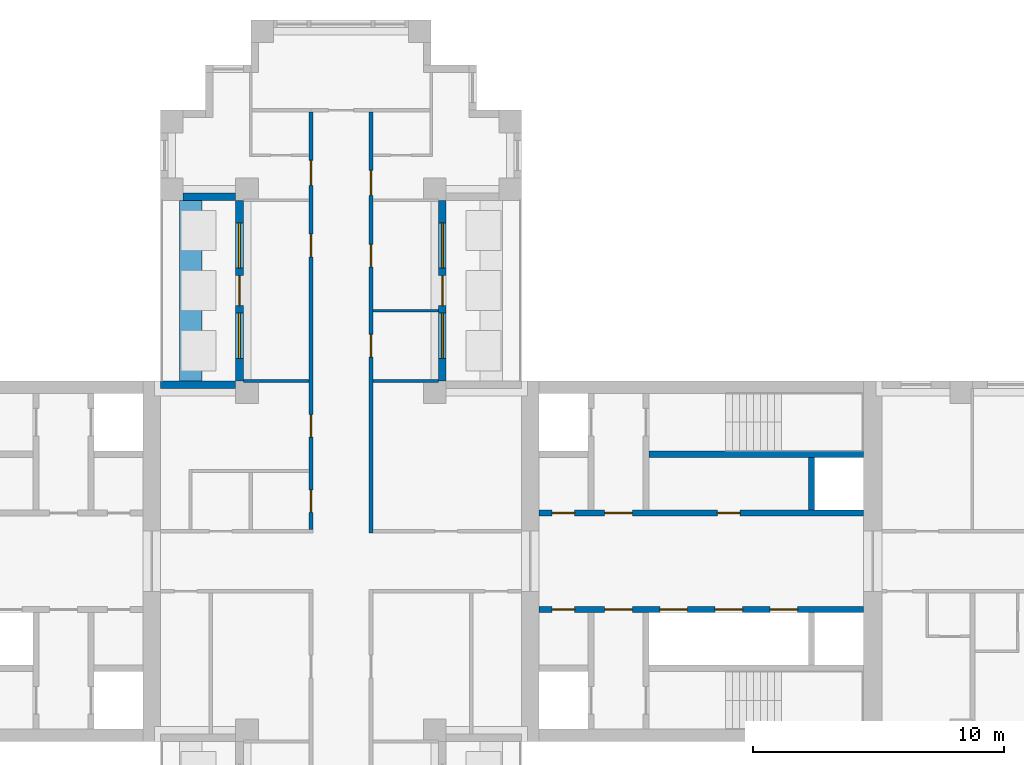
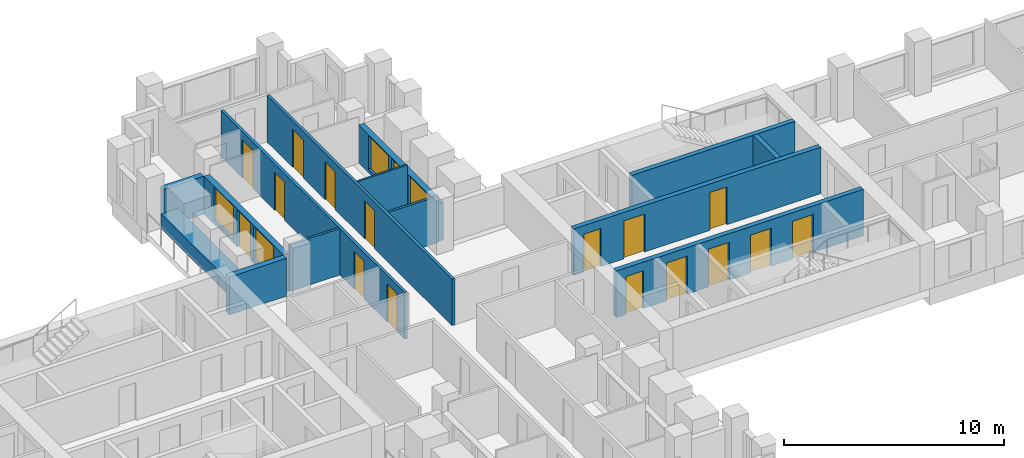
# One storey, part 9 of 14: 17 doors, 14 walls, 4 windows, 21 openings.
"""IFC4 building model written with IfcOpenShell, lengths in metres."""

from ifc_helpers import new_model, si_unit, direction, frame, frame_2d, origin, place, context, subcontext, project, spatial, rectangle, extrude, material, layer, layer_set, type_object, element, fill, save


model = new_model("IFC4")

# Units and contexts
model_context = context("Model", 3, precision=1e-05, world=origin(), true_north=direction((0.0, 1.0)))
body_context = subcontext(model_context, "Body", "Model", "MODEL_VIEW")
ifc_project = project(units=[si_unit("LENGTHUNIT", "METRE"), si_unit("AREAUNIT", "SQUARE_METRE"), si_unit("VOLUMEUNIT", "CUBIC_METRE"), si_unit("PLANEANGLEUNIT", "RADIAN"), si_unit("MASSUNIT", "GRAM", prefix="KILO")], contexts=[model_context])

# Site, building, storey
site_placement = place(None, origin())
site = spatial("IfcSite", under=ifc_project, at=site_placement, CompositionType="ELEMENT")
building_placement = place(site_placement, origin())
building = spatial("IfcBuilding", under=site, at=building_placement, Name="Fustian Cross Tower", CompositionType="ELEMENT")
storey_placement = place(building_placement, frame((0.0, 0.0, 69.89990234375)))
storey = spatial("IfcBuildingStorey", under=building, at=storey_placement, Name="L21", CompositionType="ELEMENT", Elevation=69.89990234375)

# Wall, openings, doors
ifc_material_1 = material(Name="Plasterboard on steel stud", Category="steel")
ifc_layer_1 = layer(ifc_material_1, 0.14990234375)
ifc_layer_set_1 = layer_set([ifc_layer_1], Name="Plasterboard on steel stud")
wall_type_1 = type_object("IfcWallType", Name="COMPARTMENT WALL 150 EI 60", PredefinedType="PARTITIONING", material=ifc_layer_set_1)
wall_1_placement = place(storey_placement, frame((-1.199951171875, 1.27490234375, 0.0), z_axis=(0.0, 0.0, 1.0), x_axis=(0.0, 1.0, 0.0)))
wall_1 = element("IfcWall", 1, at=wall_1_placement, inside=storey, type_object=wall_type_1, Name="Partition 50", PredefinedType="PARTITIONING", context=body_context, shape_type="SweptSolid", body=[
    extrude(rectangle(XDim=16.650146484375, YDim=0.14990234375, at=frame_2d((8.3251953125, 0.0))), origin(), (0.0, 0.0, 1.0), 2.5751953125),
])
opening_1_placement = place(wall_1_placement, frame((0.675048828125, 0.0, 0.0)))
opening_1 = element("IfcOpeningElement", 2, at=opening_1_placement, cuts=wall_1, Name="Opening D11002", PredefinedType="OPENING", context=body_context, shape_type="SweptSolid", body=[
    extrude(rectangle(XDim=0.89990234375, YDim=2.10009765625, at=frame_2d((0.449951171875, 1.050048828125))), frame((0.0, 0.0849609375, 0.0), z_axis=(0.0, -1.0, 0.0), x_axis=(1.0, 0.0, 0.0)), (0.0, 0.0, 1.0), 0.169921875),
])
opening_2_placement = place(wall_1_placement, frame((3.675048828125, 0.0, 0.0)))
opening_2 = element("IfcOpeningElement", 3, at=opening_2_placement, cuts=wall_1, Name="Opening D11004", PredefinedType="OPENING", context=body_context, shape_type="SweptSolid", body=[
    extrude(rectangle(XDim=0.89990234375, YDim=2.10009765625, at=frame_2d((0.449951171875, 1.050048828125))), frame((0.0, 0.0849609375, 0.0), z_axis=(0.0, -1.0, 0.0), x_axis=(1.0, 0.0, 0.0)), (0.0, 0.0, 1.0), 0.169921875),
])
opening_3_placement = place(wall_1_placement, frame((10.875, 0.0, 0.0)))
opening_3 = element("IfcOpeningElement", 4, at=opening_3_placement, cuts=wall_1, Name="Opening D11018", PredefinedType="OPENING", context=body_context, shape_type="SweptSolid", body=[
    extrude(rectangle(XDim=0.89990234375, YDim=2.10009765625, at=frame_2d((0.449951171875, 1.050048828125))), frame((0.0, 0.0849609375, 0.0), z_axis=(0.0, -1.0, 0.0), x_axis=(1.0, 0.0, 0.0)), (0.0, 0.0, 1.0), 0.169921875),
])
opening_4_placement = place(wall_1_placement, frame((13.72509765625, 0.0, 0.0)))
opening_4 = element("IfcOpeningElement", 5, at=opening_4_placement, cuts=wall_1, Name="Opening D11020", PredefinedType="OPENING", context=body_context, shape_type="SweptSolid", body=[
    extrude(rectangle(XDim=1.0, YDim=2.10009765625, at=frame_2d((0.5, 1.050048828125))), frame((0.0, 0.0849609375, 0.0), z_axis=(0.0, -1.0, 0.0), x_axis=(1.0, 0.0, 0.0)), (0.0, 0.0, 1.0), 0.169921875),
])
ifc_material_2 = material(Name="Timber fire door set", Category="wood")
door_type_1 = type_object("IfcDoorType", Name="FIRE SWING DOOR 1000 FD30S", OperationType="SINGLE_SWING_LEFT", PredefinedType="DOOR", material=ifc_material_2)
door_1_placement = place(opening_4_placement, origin())
door_1 = element("IfcDoor", 6, at=door_1_placement, inside=storey, type_object=door_type_1, Name="Door D11020", OperationType="SINGLE_SWING_RIGHT", OverallHeight=2.10009765625, OverallWidth=1.0, PredefinedType="DOOR", context=body_context, shape_type="SweptSolid", body=[
    extrude(rectangle(XDim=1.0, YDim=2.10009765625, at=frame_2d((0.5, 1.050048828125))), frame((0.0, 0.02490234375, 0.0), z_axis=(0.0, -1.0, 0.0), x_axis=(1.0, 0.0, 0.0)), (0.0, 0.0, 1.0), 0.050048828125),
])
fill(opening_4, door_1)
ifc_material_3 = material(Name="Timber fire door set", Category="wood")
door_type_2 = type_object("IfcDoorType", Name="FIRE SWING DOOR 900 FD30S", OperationType="SINGLE_SWING_LEFT", PredefinedType="DOOR", material=ifc_material_3)
door_2_placement = place(opening_1_placement, origin())
door_2 = element("IfcDoor", 7, at=door_2_placement, inside=storey, type_object=door_type_2, Name="Door D11002", OperationType="SINGLE_SWING_LEFT", OverallHeight=2.10009765625, OverallWidth=0.89990234375, PredefinedType="DOOR", context=body_context, shape_type="SweptSolid", body=[
    extrude(rectangle(XDim=0.89990234375, YDim=2.10009765625, at=frame_2d((0.449951171875, 1.050048828125))), frame((0.0, 0.02490234375, 0.0), z_axis=(0.0, -1.0, 0.0), x_axis=(1.0, 0.0, 0.0)), (0.0, 0.0, 1.0), 0.050048828125),
])
fill(opening_1, door_2)
door_3_placement = place(opening_2_placement, origin())
door_3 = element("IfcDoor", 8, at=door_3_placement, inside=storey, type_object=door_type_2, Name="Door D11004", OperationType="SINGLE_SWING_LEFT", OverallHeight=2.10009765625, OverallWidth=0.89990234375, PredefinedType="DOOR", context=body_context, shape_type="SweptSolid", body=[
    extrude(rectangle(XDim=0.89990234375, YDim=2.10009765625, at=frame_2d((0.449951171875, 1.050048828125))), frame((0.0, 0.02490234375, 0.0), z_axis=(0.0, -1.0, 0.0), x_axis=(1.0, 0.0, 0.0)), (0.0, 0.0, 1.0), 0.050048828125),
])
fill(opening_2, door_3)
door_4_placement = place(opening_3_placement, origin())
door_4 = element("IfcDoor", 9, at=door_4_placement, inside=storey, type_object=door_type_2, Name="Door D11018", OperationType="SINGLE_SWING_RIGHT", OverallHeight=2.10009765625, OverallWidth=0.89990234375, PredefinedType="DOOR", context=body_context, shape_type="SweptSolid", body=[
    extrude(rectangle(XDim=0.89990234375, YDim=2.10009765625, at=frame_2d((0.449951171875, 1.050048828125))), frame((0.0, 0.02490234375, 0.0), z_axis=(0.0, -1.0, 0.0), x_axis=(1.0, 0.0, 0.0)), (0.0, 0.0, 1.0), 0.050048828125),
])
fill(opening_3, door_4)

wall_2_placement = place(storey_placement, frame((1.199951171875, 1.125, 0.0), z_axis=(0.0, 0.0, 1.0), x_axis=(0.0, 1.0, 0.0)))
wall_2 = element("IfcWall", 10, at=wall_2_placement, inside=storey, type_object=wall_type_1, Name="Partition 60", PredefinedType="PARTITIONING", context=body_context, shape_type="SweptSolid", body=[
    extrude(rectangle(XDim=16.800048828125, YDim=0.14990234375, at=frame_2d((8.39990234375, 0.0))), origin(), (0.0, 0.0, 1.0), 2.5751953125),
])
opening_5_placement = place(wall_2_placement, frame((7.02490234375, 0.0, 0.0)))
opening_5 = element("IfcOpeningElement", 11, at=opening_5_placement, cuts=wall_2, Name="Opening D11021", PredefinedType="OPENING", context=body_context, shape_type="SweptSolid", body=[
    extrude(rectangle(XDim=0.89990234375, YDim=2.10009765625, at=frame_2d((0.449951171875, 1.050048828125))), frame((0.0, 0.0849609375, 0.0), z_axis=(0.0, -1.0, 0.0), x_axis=(1.0, 0.0, 0.0)), (0.0, 0.0, 1.0), 0.169921875),
])
opening_6_placement = place(wall_2_placement, frame((10.625, 0.0, 0.0)))
opening_6 = element("IfcOpeningElement", 12, at=opening_6_placement, cuts=wall_2, Name="Opening D11022", PredefinedType="OPENING", context=body_context, shape_type="SweptSolid", body=[
    extrude(rectangle(XDim=0.89990234375, YDim=2.10009765625, at=frame_2d((0.449951171875, 1.050048828125))), frame((0.0, 0.0849609375, 0.0), z_axis=(0.0, -1.0, 0.0), x_axis=(1.0, 0.0, 0.0)), (0.0, 0.0, 1.0), 0.169921875),
])
opening_7_placement = place(wall_2_placement, frame((13.47509765625, 0.0, 0.0)))
opening_7 = element("IfcOpeningElement", 13, at=opening_7_placement, cuts=wall_2, Name="Opening D11024", PredefinedType="OPENING", context=body_context, shape_type="SweptSolid", body=[
    extrude(rectangle(XDim=1.0, YDim=2.10009765625, at=frame_2d((0.5, 1.050048828125))), frame((0.0, 0.0849609375, 0.0), z_axis=(0.0, -1.0, 0.0), x_axis=(1.0, 0.0, 0.0)), (0.0, 0.0, 1.0), 0.169921875),
])
door_5_placement = place(opening_7_placement, frame((1.0, 0.0, 0.0), z_axis=(0.0, 0.0, 1.0), x_axis=(-1.0, 0.0, 0.0)))
door_5 = element("IfcDoor", 14, at=door_5_placement, inside=storey, type_object=door_type_1, Name="Door D11024", OperationType="SINGLE_SWING_RIGHT", OverallHeight=2.10009765625, OverallWidth=1.0, PredefinedType="DOOR", context=body_context, shape_type="SweptSolid", body=[
    extrude(rectangle(XDim=1.0, YDim=2.10009765625, at=frame_2d((0.5, 1.050048828125))), frame((0.0, 0.02490234375, 0.0), z_axis=(0.0, -1.0, 0.0), x_axis=(1.0, 0.0, 0.0)), (0.0, 0.0, 1.0), 0.050048828125),
])
fill(opening_7, door_5)
door_6_placement = place(opening_5_placement, frame((0.89990234375, 0.0, 0.0), z_axis=(0.0, 0.0, 1.0), x_axis=(-1.0, 0.0, 0.0)))
door_6 = element("IfcDoor", 15, at=door_6_placement, inside=storey, type_object=door_type_2, Name="Door D11021", OperationType="SINGLE_SWING_RIGHT", OverallHeight=2.10009765625, OverallWidth=0.89990234375, PredefinedType="DOOR", context=body_context, shape_type="SweptSolid", body=[
    extrude(rectangle(XDim=0.89990234375, YDim=2.10009765625, at=frame_2d((0.449951171875, 1.050048828125))), frame((0.0, 0.02490234375, 0.0), z_axis=(0.0, -1.0, 0.0), x_axis=(1.0, 0.0, 0.0)), (0.0, 0.0, 1.0), 0.050048828125),
])
fill(opening_5, door_6)
door_7_placement = place(opening_6_placement, frame((0.89990234375, 0.0, 0.0), z_axis=(0.0, 0.0, 1.0), x_axis=(-1.0, 0.0, 0.0)))
door_7 = element("IfcDoor", 16, at=door_7_placement, inside=storey, type_object=door_type_2, Name="Door D11022", OperationType="SINGLE_SWING_RIGHT", OverallHeight=2.10009765625, OverallWidth=0.89990234375, PredefinedType="DOOR", context=body_context, shape_type="SweptSolid", body=[
    extrude(rectangle(XDim=0.89990234375, YDim=2.10009765625, at=frame_2d((0.449951171875, 1.050048828125))), frame((0.0, 0.02490234375, 0.0), z_axis=(0.0, -1.0, 0.0), x_axis=(1.0, 0.0, 0.0)), (0.0, 0.0, 1.0), 0.050048828125),
])
fill(opening_6, door_7)

ifc_material_4 = material(Name="Concrete C50/60", Category="concrete")
ifc_layer_2 = layer(ifc_material_4, 0.25)
ifc_layer_set_2 = layer_set([ifc_layer_2], Name="Concrete C50/60")
wall_type_2 = type_object("IfcWallType", Name="CORE LOBBY WALL 250 C50/60", PredefinedType="SHEAR", material=ifc_layer_set_2)
wall_3_placement = place(storey_placement, frame((7.89990234375, 1.925048828125, 0.0), z_axis=(0.0, 0.0, 1.0), x_axis=(1.0, 0.0, 0.0)))
wall_3 = element("IfcWall", 17, at=wall_3_placement, inside=storey, type_object=wall_type_2, Name="Core lobby wall", PredefinedType="SHEAR", context=body_context, shape_type="SweptSolid", body=[
    extrude(rectangle(XDim=12.9501953125, YDim=0.25, at=frame_2d((6.47509765625, 0.0))), origin(), (0.0, 0.0, 1.0), 2.5751953125),
])
opening_8_placement = place(wall_3_placement, frame((0.52490234375, 0.0, 0.0)))
opening_8 = element("IfcOpeningElement", 18, at=opening_8_placement, cuts=wall_3, Name="Opening CD-09-08", PredefinedType="OPENING", context=body_context, shape_type="SweptSolid", body=[
    extrude(rectangle(XDim=0.89990234375, YDim=2.10009765625, at=frame_2d((0.449951171875, 1.050048828125))), frame((0.0, 0.135009765625, 0.0), z_axis=(0.0, -1.0, 0.0), x_axis=(1.0, 0.0, 0.0)), (0.0, 0.0, 1.0), 0.27001953125),
])
opening_9_placement = place(wall_3_placement, frame((2.625, 0.0, 0.0)))
opening_9 = element("IfcOpeningElement", 19, at=opening_9_placement, cuts=wall_3, Name="Opening CD-09-10", PredefinedType="OPENING", context=body_context, shape_type="SweptSolid", body=[
    extrude(rectangle(XDim=1.10009765625, YDim=2.10009765625, at=frame_2d((0.550048828125, 1.050048828125))), frame((0.0, 0.135009765625, 0.0), z_axis=(0.0, -1.0, 0.0), x_axis=(1.0, 0.0, 0.0)), (0.0, 0.0, 1.0), 0.27001953125),
])
opening_10_placement = place(wall_3_placement, frame((7.125, 0.0, 0.0)))
opening_10 = element("IfcOpeningElement", 20, at=opening_10_placement, cuts=wall_3, Name="Opening CD-09-14", PredefinedType="OPENING", context=body_context, shape_type="SweptSolid", body=[
    extrude(rectangle(XDim=0.89990234375, YDim=2.10009765625, at=frame_2d((0.449951171875, 1.050048828125))), frame((0.0, 0.135009765625, 0.0), z_axis=(0.0, -1.0, 0.0), x_axis=(1.0, 0.0, 0.0)), (0.0, 0.0, 1.0), 0.27001953125),
])
ifc_material_5 = material(Name="Steel", Category="steel")
door_type_3 = type_object("IfcDoorType", Name="FIRE DOOR FD30S 900X2100", OperationType="SINGLE_SWING_LEFT", PredefinedType="DOOR", material=ifc_material_5)
door_8_placement = place(opening_10_placement, origin())
door_8 = element("IfcDoor", 21, at=door_8_placement, inside=storey, type_object=door_type_3, Name="Core door CD-09-14", OperationType="SINGLE_SWING_LEFT", OverallHeight=2.10009765625, OverallWidth=0.89990234375, PredefinedType="DOOR", context=body_context, shape_type="SweptSolid", body=[
    extrude(rectangle(XDim=0.89990234375, YDim=2.10009765625, at=frame_2d((0.449951171875, 1.050048828125))), frame((0.0, 0.02490234375, 0.0), z_axis=(0.0, -1.0, 0.0), x_axis=(1.0, 0.0, 0.0)), (0.0, 0.0, 1.0), 0.050048828125),
])
fill(opening_10, door_8)
ifc_material_6 = material(Name="Steel", Category="steel")
door_type_4 = type_object("IfcDoorType", Name="FIRE DOOR FD60S 1100X2100", OperationType="SINGLE_SWING_LEFT", PredefinedType="DOOR", material=ifc_material_6)
door_9_placement = place(opening_9_placement, frame((1.10009765625, 0.0, 0.0), z_axis=(0.0, 0.0, 1.0), x_axis=(-1.0, 0.0, 0.0)))
door_9 = element("IfcDoor", 22, at=door_9_placement, inside=storey, type_object=door_type_4, Name="Core door CD-09-10", OperationType="SINGLE_SWING_RIGHT", OverallHeight=2.10009765625, OverallWidth=1.10009765625, PredefinedType="DOOR", context=body_context, shape_type="SweptSolid", body=[
    extrude(rectangle(XDim=1.10009765625, YDim=2.10009765625, at=frame_2d((0.550048828125, 1.050048828125))), frame((0.0, 0.02490234375, 0.0), z_axis=(0.0, -1.0, 0.0), x_axis=(1.0, 0.0, 0.0)), (0.0, 0.0, 1.0), 0.050048828125),
])
fill(opening_9, door_9)
ifc_material_7 = material(Name="Steel", Category="steel")
door_type_5 = type_object("IfcDoorType", Name="FIRE DOOR FD60S 900X2100", OperationType="SINGLE_SWING_LEFT", PredefinedType="DOOR", material=ifc_material_7)
door_10_placement = place(opening_8_placement, origin())
door_10 = element("IfcDoor", 23, at=door_10_placement, inside=storey, type_object=door_type_5, Name="Core door CD-09-08", OperationType="SINGLE_SWING_LEFT", OverallHeight=2.10009765625, OverallWidth=0.89990234375, PredefinedType="DOOR", context=body_context, shape_type="SweptSolid", body=[
    extrude(rectangle(XDim=0.89990234375, YDim=2.10009765625, at=frame_2d((0.449951171875, 1.050048828125))), frame((0.0, 0.02490234375, 0.0), z_axis=(0.0, -1.0, 0.0), x_axis=(1.0, 0.0, 0.0)), (0.0, 0.0, 1.0), 0.050048828125),
])
fill(opening_8, door_10)

wall_4_placement = place(storey_placement, frame((7.89990234375, -1.925048828125, 0.0), z_axis=(0.0, 0.0, 1.0), x_axis=(1.0, 0.0, 0.0)))
wall_4 = element("IfcWall", 24, at=wall_4_placement, inside=storey, type_object=wall_type_2, Name="Core lobby wall", PredefinedType="SHEAR", context=body_context, shape_type="SweptSolid", body=[
    extrude(rectangle(XDim=12.9501953125, YDim=0.25, at=frame_2d((6.47509765625, 0.0))), origin(), (0.0, 0.0, 1.0), 2.5751953125),
])
opening_11_placement = place(wall_4_placement, frame((4.824951171875, 0.0, 0.0)))
opening_11 = element("IfcOpeningElement", 25, at=opening_11_placement, cuts=wall_4, Name="Opening LD", PredefinedType="OPENING", context=body_context, shape_type="SweptSolid", body=[
    extrude(rectangle(XDim=1.10009765625, YDim=2.10009765625, at=frame_2d((0.550048828125, 1.050048828125))), frame((0.0, 0.135009765625, 0.0), z_axis=(0.0, -1.0, 0.0), x_axis=(1.0, 0.0, 0.0)), (0.0, 0.0, 1.0), 0.27001953125),
])
opening_12_placement = place(wall_4_placement, frame((7.02490234375, 0.0, 0.0)))
opening_12 = element("IfcOpeningElement", 26, at=opening_12_placement, cuts=wall_4, Name="Opening LD", PredefinedType="OPENING", context=body_context, shape_type="SweptSolid", body=[
    extrude(rectangle(XDim=1.10009765625, YDim=2.10009765625, at=frame_2d((0.550048828125, 1.050048828125))), frame((0.0, 0.135009765625, 0.0), z_axis=(0.0, -1.0, 0.0), x_axis=(1.0, 0.0, 0.0)), (0.0, 0.0, 1.0), 0.27001953125),
])
opening_13_placement = place(wall_4_placement, frame((9.22509765625, 0.0, 0.0)))
opening_13 = element("IfcOpeningElement", 27, at=opening_13_placement, cuts=wall_4, Name="Opening LD", PredefinedType="OPENING", context=body_context, shape_type="SweptSolid", body=[
    extrude(rectangle(XDim=1.10009765625, YDim=2.10009765625, at=frame_2d((0.550048828125, 1.050048828125))), frame((0.0, 0.135009765625, 0.0), z_axis=(0.0, -1.0, 0.0), x_axis=(1.0, 0.0, 0.0)), (0.0, 0.0, 1.0), 0.27001953125),
])
opening_14_placement = place(wall_4_placement, frame((0.52490234375, 0.0, 0.0)))
opening_14 = element("IfcOpeningElement", 28, at=opening_14_placement, cuts=wall_4, Name="Opening CD-09-09", PredefinedType="OPENING", context=body_context, shape_type="SweptSolid", body=[
    extrude(rectangle(XDim=0.89990234375, YDim=2.10009765625, at=frame_2d((0.449951171875, 1.050048828125))), frame((0.0, 0.135009765625, 0.0), z_axis=(0.0, -1.0, 0.0), x_axis=(1.0, 0.0, 0.0)), (0.0, 0.0, 1.0), 0.27001953125),
])
opening_15_placement = place(wall_4_placement, frame((2.625, 0.0, 0.0)))
opening_15 = element("IfcOpeningElement", 29, at=opening_15_placement, cuts=wall_4, Name="Opening CD-09-11", PredefinedType="OPENING", context=body_context, shape_type="SweptSolid", body=[
    extrude(rectangle(XDim=1.10009765625, YDim=2.10009765625, at=frame_2d((0.550048828125, 1.050048828125))), frame((0.0, 0.135009765625, 0.0), z_axis=(0.0, -1.0, 0.0), x_axis=(1.0, 0.0, 0.0)), (0.0, 0.0, 1.0), 0.27001953125),
])
ifc_material_8 = material(Name="Steel", Category="steel")
door_type_6 = type_object("IfcDoorType", Name="FIRE DOOR FD30S 1100X2100", OperationType="SINGLE_SWING_LEFT", PredefinedType="DOOR", material=ifc_material_8)
door_11_placement = place(opening_15_placement, frame((1.10009765625, 0.0, 0.0), z_axis=(0.0, 0.0, 1.0), x_axis=(-1.0, 0.0, 0.0)))
door_11 = element("IfcDoor", 30, at=door_11_placement, inside=storey, type_object=door_type_6, Name="Core door CD-09-11", OperationType="SINGLE_SWING_RIGHT", OverallHeight=2.10009765625, OverallWidth=1.10009765625, PredefinedType="DOOR", context=body_context, shape_type="SweptSolid", body=[
    extrude(rectangle(XDim=1.10009765625, YDim=2.10009765625, at=frame_2d((0.550048828125, 1.050048828125))), frame((0.0, 0.02490234375, 0.0), z_axis=(0.0, -1.0, 0.0), x_axis=(1.0, 0.0, 0.0)), (0.0, 0.0, 1.0), 0.050048828125),
])
fill(opening_15, door_11)
door_12_placement = place(opening_14_placement, frame((0.89990234375, 0.0, 0.0), z_axis=(0.0, 0.0, 1.0), x_axis=(-1.0, 0.0, 0.0)))
door_12 = element("IfcDoor", 31, at=door_12_placement, inside=storey, type_object=door_type_3, Name="Core door CD-09-09", OperationType="SINGLE_SWING_RIGHT", OverallHeight=2.10009765625, OverallWidth=0.89990234375, PredefinedType="DOOR", context=body_context, shape_type="SweptSolid", body=[
    extrude(rectangle(XDim=0.89990234375, YDim=2.10009765625, at=frame_2d((0.449951171875, 1.050048828125))), frame((0.0, 0.02490234375, 0.0), z_axis=(0.0, -1.0, 0.0), x_axis=(1.0, 0.0, 0.0)), (0.0, 0.0, 1.0), 0.050048828125),
])
fill(opening_14, door_12)
ifc_material_9 = material(Name="Stainless steel", Category="steel")
door_type_7 = type_object("IfcDoorType", Name="LIFT LANDING DOOR 1100X2100", OperationType="SLIDING_TO_LEFT", PredefinedType="DOOR", material=ifc_material_9)
door_13_placement = place(opening_11_placement, origin())
door_13 = element("IfcDoor", 32, at=door_13_placement, inside=storey, type_object=door_type_7, Name="Landing door LR1", OperationType="SLIDING_TO_LEFT", OverallHeight=2.10009765625, OverallWidth=1.10009765625, PredefinedType="DOOR", context=body_context, shape_type="SweptSolid", body=[
    extrude(rectangle(XDim=1.10009765625, YDim=2.10009765625, at=frame_2d((0.550048828125, 1.050048828125))), frame((0.0, 0.02490234375, 0.0), z_axis=(0.0, -1.0, 0.0), x_axis=(1.0, 0.0, 0.0)), (0.0, 0.0, 1.0), 0.050048828125),
])
fill(opening_11, door_13)
door_14_placement = place(opening_12_placement, origin())
door_14 = element("IfcDoor", 33, at=door_14_placement, inside=storey, type_object=door_type_7, Name="Landing door LR2", OperationType="SLIDING_TO_LEFT", OverallHeight=2.10009765625, OverallWidth=1.10009765625, PredefinedType="DOOR", context=body_context, shape_type="SweptSolid", body=[
    extrude(rectangle(XDim=1.10009765625, YDim=2.10009765625, at=frame_2d((0.550048828125, 1.050048828125))), frame((0.0, 0.02490234375, 0.0), z_axis=(0.0, -1.0, 0.0), x_axis=(1.0, 0.0, 0.0)), (0.0, 0.0, 1.0), 0.050048828125),
])
fill(opening_12, door_14)
door_15_placement = place(opening_13_placement, origin())
door_15 = element("IfcDoor", 34, at=door_15_placement, inside=storey, type_object=door_type_7, Name="Landing door LR3", OperationType="SLIDING_TO_LEFT", OverallHeight=2.10009765625, OverallWidth=1.10009765625, PredefinedType="DOOR", context=body_context, shape_type="SweptSolid", body=[
    extrude(rectangle(XDim=1.10009765625, YDim=2.10009765625, at=frame_2d((0.550048828125, 1.050048828125))), frame((0.0, 0.02490234375, 0.0), z_axis=(0.0, -1.0, 0.0), x_axis=(1.0, 0.0, 0.0)), (0.0, 0.0, 1.0), 0.050048828125),
])
fill(opening_13, door_15)

# Walls
ifc_material_10 = material(Name="Concrete C50/60", Category="concrete")
ifc_layer_3 = layer(ifc_material_10, 0.25)
ifc_layer_set_3 = layer_set([ifc_layer_3], Name="Concrete C50/60")
wall_type_3 = type_object("IfcWallType", Name="CORE SHAFT WALL 250 C50/60", PredefinedType="SHEAR", material=ifc_layer_set_3)
wall_5_placement = place(storey_placement, frame((12.300048828125, 4.27490234375, 0.0), z_axis=(0.0, 0.0, 1.0), x_axis=(1.0, 0.0, 0.0)))
element("IfcWall", 35, at=wall_5_placement, inside=storey, type_object=wall_type_3, Name="Core shaft wall", PredefinedType="SHEAR", context=body_context, shape_type="SweptSolid", body=[
    extrude(rectangle(XDim=8.550048828125, YDim=0.25, at=frame_2d((4.27490234375, 0.0))), origin(), (0.0, 0.0, 1.0), 2.5751953125),
])
ifc_material_11 = material(Name="Plasterboard on steel stud", Category="steel")
ifc_layer_4 = layer(ifc_material_11, 0.10009765625)
ifc_layer_set_4 = layer_set([ifc_layer_4], Name="Plasterboard on steel stud")
wall_type_4 = type_object("IfcWallType", Name="PARTITION 100 STUD", PredefinedType="PARTITIONING", material=ifc_layer_set_4)
wall_6_placement = place(storey_placement, frame((1.27490234375, 10.0, 0.0), z_axis=(0.0, 0.0, 1.0), x_axis=(1.0, 0.0, 0.0)))
element("IfcWall", 36, at=wall_6_placement, inside=storey, type_object=wall_type_4, Name="Partition 63", PredefinedType="PARTITIONING", context=body_context, shape_type="SweptSolid", body=[
    extrude(rectangle(XDim=2.625, YDim=0.10009765625, at=frame_2d((1.3125, 0.0))), origin(), (0.0, 0.0, 1.0), 2.5751953125),
])
ifc_material_12 = material(Name="Concrete C40/50", Category="concrete")
ifc_layer_5 = layer(ifc_material_12, 0.89990234375)
ifc_layer_set_5 = layer_set([ifc_layer_5], Name="Concrete C40/50")
wall_type_5 = type_object("IfcWallType", Name="PK1 PLANTER 900", PredefinedType="PARAPET", material=ifc_layer_set_5)
wall_7_placement = place(storey_placement, frame((-6.0, 7.199951171875, 0.0), z_axis=(0.0, 0.0, 1.0), x_axis=(0.0, 1.0, 0.0)))
element("IfcWall", 37, at=wall_7_placement, inside=storey, type_object=wall_type_5, Name="PLANTER", PredefinedType="PARAPET", context=body_context, shape_type="SweptSolid", body=[
    extrude(rectangle(XDim=7.199951171875, YDim=0.89990234375, at=frame_2d((3.60009765625, 0.0))), origin(), (0.0, 0.0, 1.0), 0.800048828125),
])
ifc_material_13 = material(Name="Concrete C40/50", Category="concrete")
ifc_layer_6 = layer(ifc_material_13, 0.25)
ifc_layer_set_6 = layer_set([ifc_layer_6], Name="Concrete C40/50")
wall_type_6 = type_object("IfcWallType", Name="SHAFT PARTITION WALL 250 C40/50", PredefinedType="PARTITIONING", material=ifc_layer_set_6)
wall_8_placement = place(storey_placement, frame((18.77490234375, 2.050048828125, 0.0), z_axis=(0.0, 0.0, 1.0), x_axis=(0.0, 1.0, 0.0)))
element("IfcWall", 38, at=wall_8_placement, inside=storey, type_object=wall_type_6, Name="Core shaft wall", PredefinedType="PARTITIONING", context=body_context, shape_type="SweptSolid", body=[
    extrude(rectangle(XDim=2.099853515625, YDim=0.25, at=frame_2d((1.0498046875, 0.0))), origin(), (0.0, 0.0, 1.0), 2.5751953125),
])
ifc_material_14 = material(Name="Plasterboard on steel stud", Category="steel")
ifc_layer_7 = layer(ifc_material_14, 0.125)
ifc_layer_set_7 = layer_set([ifc_layer_7], Name="Plasterboard on steel stud")
wall_type_7 = type_object("IfcWallType", Name="WET WALL 125 STUD", PredefinedType="PARTITIONING", material=ifc_layer_set_7)
for number, where, z_axis, x_axis, name in (
    (39, (-3.89990234375, 7.199951171875, 0.0), (0.0, 0.0, 1.0), (1.0, 0.0, 0.0), "Partition 41"),
    (40, (1.27490234375, 7.199951171875, 0.0), (0.0, 0.0, 1.0), (1.0, 0.0, 0.0), "Partition 62"),
):
    element("IfcWall", number, at=place(storey_placement, frame(where, z_axis=z_axis, x_axis=x_axis)), inside=storey, type_object=wall_type_7, Name=name, PredefinedType="PARTITIONING", context=body_context, shape_type="SweptSolid", body=[
        extrude(rectangle(XDim=2.625, YDim=0.125, at=frame_2d((1.3125, 0.0))), origin(), (0.0, 0.0, 1.0), 2.5751953125),
    ])

# Wall, openings, door, windows
ifc_material_15 = material(Name="Dark aluminium cladding on insulated backing wall", Category="aluminium")
ifc_layer_8 = layer(ifc_material_15, 0.300048828125)
ifc_layer_set_8 = layer_set([ifc_layer_8], Name="Dark aluminium cladding on insulated backing wall")
wall_type_8 = type_object("IfcWallType", Name="XW1 EXTERNAL WALL 300", PredefinedType="SOLIDWALL", material=ifc_layer_set_8)
wall_9_placement = place(storey_placement, frame((4.050048828125, 7.199951171875, 0.0), z_axis=(0.0, 0.0, 1.0), x_axis=(0.0, 1.0, 0.0)))
wall_9 = element("IfcWall", 41, at=wall_9_placement, inside=storey, type_object=wall_type_8, Name="External wall", PredefinedType="SOLIDWALL", context=body_context, shape_type="SweptSolid", body=[
    extrude(rectangle(XDim=7.199951171875, YDim=0.300048828125, at=frame_2d((3.60009765625, 0.0))), origin(), (0.0, 0.0, 1.0), 2.10009765625),
])
opening_16_placement = place(wall_9_placement, frame((3.0, 0.0, 0.0)))
opening_16 = element("IfcOpeningElement", 42, at=opening_16_placement, cuts=wall_9, Name="Opening XD1", PredefinedType="OPENING", context=body_context, shape_type="SweptSolid", body=[
    extrude(rectangle(XDim=1.199951171875, YDim=2.050048828125, at=frame_2d((0.60009765625, 1.02490234375))), frame((0.0, 0.159912109375, 0.0), z_axis=(0.0, -1.0, 0.0), x_axis=(1.0, 0.0, 0.0)), (0.0, 0.0, 1.0), 0.320068359375),
])
opening_17_placement = place(wall_9_placement, frame((0.89990234375, 0.0, 0.199951171875)))
opening_17 = element("IfcOpeningElement", 43, at=opening_17_placement, cuts=wall_9, Name="Opening WN2", PredefinedType="OPENING", context=body_context, shape_type="SweptSolid", body=[
    extrude(rectangle(XDim=1.800048828125, YDim=1.85009765625, at=frame_2d((0.89990234375, 0.925048828125))), frame((0.0, 0.159912109375, 0.0), z_axis=(0.0, -1.0, 0.0), x_axis=(1.0, 0.0, 0.0)), (0.0, 0.0, 1.0), 0.320068359375),
])
opening_18_placement = place(wall_9_placement, frame((4.5, 0.0, 0.199951171875)))
opening_18 = element("IfcOpeningElement", 44, at=opening_18_placement, cuts=wall_9, Name="Opening WN2", PredefinedType="OPENING", context=body_context, shape_type="SweptSolid", body=[
    extrude(rectangle(XDim=1.800048828125, YDim=1.85009765625, at=frame_2d((0.89990234375, 0.925048828125))), frame((0.0, 0.159912109375, 0.0), z_axis=(0.0, -1.0, 0.0), x_axis=(1.0, 0.0, 0.0)), (0.0, 0.0, 1.0), 0.320068359375),
])
ifc_material_16 = material(Name="Dark anodised aluminium and double glazing", Category="aluminium")
door_type_8 = type_object("IfcDoorType", Name="ED1 BALCONY DOOR 1200X2050", OperationType="SINGLE_SWING_LEFT", PredefinedType="DOOR", material=ifc_material_16)
door_16_placement = place(opening_16_placement, origin())
door_16 = element("IfcDoor", 45, at=door_16_placement, inside=storey, type_object=door_type_8, Name="Balcony door", OperationType="SINGLE_SWING_LEFT", OverallHeight=2.050048828125, OverallWidth=1.199951171875, PredefinedType="DOOR", context=body_context, shape_type="SweptSolid", body=[
    extrude(rectangle(XDim=1.199951171875, YDim=2.050048828125, at=frame_2d((0.60009765625, 1.02490234375))), frame((0.0, 0.02490234375, 0.0), z_axis=(0.0, -1.0, 0.0), x_axis=(1.0, 0.0, 0.0)), (0.0, 0.0, 1.0), 0.050048828125),
])
fill(opening_16, door_16)
ifc_material_17 = material(Name="Dark anodised aluminium and double glazing", Category="aluminium")
window_type = type_object("IfcWindowType", Name="WN2 WINDOW 1800X1850", PartitioningType="SINGLE_PANEL", PredefinedType="WINDOW", material=ifc_material_17)
window_1_placement = place(opening_17_placement, origin())
window_1 = element("IfcWindow", 46, at=window_1_placement, inside=storey, type_object=window_type, Name="Window", OverallHeight=1.85009765625, OverallWidth=1.800048828125, PartitioningType="SINGLE_PANEL", PredefinedType="WINDOW", context=body_context, shape_type="SweptSolid", body=[
    extrude(rectangle(XDim=1.800048828125, YDim=1.85009765625, at=frame_2d((0.89990234375, 0.925048828125))), frame((0.0, 0.030029296875, 0.0), z_axis=(0.0, -1.0, 0.0), x_axis=(1.0, 0.0, 0.0)), (0.0, 0.0, 1.0), 0.06005859375),
])
fill(opening_17, window_1)
window_2_placement = place(opening_18_placement, origin())
window_2 = element("IfcWindow", 47, at=window_2_placement, inside=storey, type_object=window_type, Name="Window", OverallHeight=1.85009765625, OverallWidth=1.800048828125, PartitioningType="SINGLE_PANEL", PredefinedType="WINDOW", context=body_context, shape_type="SweptSolid", body=[
    extrude(rectangle(XDim=1.800048828125, YDim=1.85009765625, at=frame_2d((0.89990234375, 0.925048828125))), frame((0.0, 0.030029296875, 0.0), z_axis=(0.0, -1.0, 0.0), x_axis=(1.0, 0.0, 0.0)), (0.0, 0.0, 1.0), 0.06005859375),
])
fill(opening_18, window_2)

# Wall
wall_10_placement = place(storey_placement, frame((-6.300048828125, 14.550048828125, 0.0), z_axis=(0.0, 0.0, 1.0), x_axis=(1.0, 0.0, 0.0)))
element("IfcWall", 48, at=wall_10_placement, inside=storey, type_object=wall_type_8, Name="External wall", PredefinedType="SOLIDWALL", context=body_context, shape_type="SweptSolid", body=[
    extrude(rectangle(XDim=2.10009765625, YDim=0.300048828125, at=frame_2d((1.050048828125, 0.0))), origin(), (0.0, 0.0, 1.0), 2.10009765625),
])

# Wall, openings, door, windows
wall_11_placement = place(storey_placement, frame((-4.050048828125, 14.39990234375, 0.0), z_axis=(0.0, 0.0, 1.0), x_axis=(0.0, -1.0, 0.0)))
wall_11 = element("IfcWall", 49, at=wall_11_placement, inside=storey, type_object=wall_type_8, Name="External wall", PredefinedType="SOLIDWALL", context=body_context, shape_type="SweptSolid", body=[
    extrude(rectangle(XDim=7.199951171875, YDim=0.300048828125, at=frame_2d((3.60009765625, 0.0))), origin(), (0.0, 0.0, 1.0), 2.10009765625),
])
opening_19_placement = place(wall_11_placement, frame((3.0, 0.0, 0.0)))
opening_19 = element("IfcOpeningElement", 50, at=opening_19_placement, cuts=wall_11, Name="Opening XD2", PredefinedType="OPENING", context=body_context, shape_type="SweptSolid", body=[
    extrude(rectangle(XDim=1.199951171875, YDim=2.050048828125, at=frame_2d((0.60009765625, 1.02490234375))), frame((0.0, 0.159912109375, 0.0), z_axis=(0.0, -1.0, 0.0), x_axis=(1.0, 0.0, 0.0)), (0.0, 0.0, 1.0), 0.320068359375),
])
opening_20_placement = place(wall_11_placement, frame((0.89990234375, 0.0, 0.199951171875)))
opening_20 = element("IfcOpeningElement", 51, at=opening_20_placement, cuts=wall_11, Name="Opening WN2", PredefinedType="OPENING", context=body_context, shape_type="SweptSolid", body=[
    extrude(rectangle(XDim=1.800048828125, YDim=1.85009765625, at=frame_2d((0.89990234375, 0.925048828125))), frame((0.0, 0.159912109375, 0.0), z_axis=(0.0, -1.0, 0.0), x_axis=(1.0, 0.0, 0.0)), (0.0, 0.0, 1.0), 0.320068359375),
])
opening_21_placement = place(wall_11_placement, frame((4.5, 0.0, 0.199951171875)))
opening_21 = element("IfcOpeningElement", 52, at=opening_21_placement, cuts=wall_11, Name="Opening WN2", PredefinedType="OPENING", context=body_context, shape_type="SweptSolid", body=[
    extrude(rectangle(XDim=1.800048828125, YDim=1.85009765625, at=frame_2d((0.89990234375, 0.925048828125))), frame((0.0, 0.159912109375, 0.0), z_axis=(0.0, -1.0, 0.0), x_axis=(1.0, 0.0, 0.0)), (0.0, 0.0, 1.0), 0.320068359375),
])
door_17_placement = place(opening_19_placement, origin())
door_17 = element("IfcDoor", 53, at=door_17_placement, inside=storey, type_object=door_type_8, Name="Balcony door", OperationType="SINGLE_SWING_LEFT", OverallHeight=2.050048828125, OverallWidth=1.199951171875, PredefinedType="DOOR", context=body_context, shape_type="SweptSolid", body=[
    extrude(rectangle(XDim=1.199951171875, YDim=2.050048828125, at=frame_2d((0.60009765625, 1.02490234375))), frame((0.0, 0.02490234375, 0.0), z_axis=(0.0, -1.0, 0.0), x_axis=(1.0, 0.0, 0.0)), (0.0, 0.0, 1.0), 0.050048828125),
])
fill(opening_19, door_17)
window_3_placement = place(opening_20_placement, origin())
window_3 = element("IfcWindow", 54, at=window_3_placement, inside=storey, type_object=window_type, Name="Window", OverallHeight=1.85009765625, OverallWidth=1.800048828125, PartitioningType="SINGLE_PANEL", PredefinedType="WINDOW", context=body_context, shape_type="SweptSolid", body=[
    extrude(rectangle(XDim=1.800048828125, YDim=1.85009765625, at=frame_2d((0.89990234375, 0.925048828125))), frame((0.0, 0.030029296875, 0.0), z_axis=(0.0, -1.0, 0.0), x_axis=(1.0, 0.0, 0.0)), (0.0, 0.0, 1.0), 0.06005859375),
])
fill(opening_20, window_3)
window_4_placement = place(opening_21_placement, origin())
window_4 = element("IfcWindow", 55, at=window_4_placement, inside=storey, type_object=window_type, Name="Window", OverallHeight=1.85009765625, OverallWidth=1.800048828125, PartitioningType="SINGLE_PANEL", PredefinedType="WINDOW", context=body_context, shape_type="SweptSolid", body=[
    extrude(rectangle(XDim=1.800048828125, YDim=1.85009765625, at=frame_2d((0.89990234375, 0.925048828125))), frame((0.0, 0.030029296875, 0.0), z_axis=(0.0, -1.0, 0.0), x_axis=(1.0, 0.0, 0.0)), (0.0, 0.0, 1.0), 0.06005859375),
])
fill(opening_21, window_4)

# Wall
wall_12_placement = place(storey_placement, frame((-4.199951171875, 7.050048828125, 0.0), z_axis=(0.0, 0.0, 1.0), x_axis=(-1.0, 0.0, 0.0)))
element("IfcWall", 56, at=wall_12_placement, inside=storey, type_object=wall_type_8, Name="External wall", PredefinedType="SOLIDWALL", context=body_context, shape_type="SweptSolid", body=[
    extrude(rectangle(XDim=3.0, YDim=0.300048828125, at=frame_2d((1.5, 0.0))), origin(), (0.0, 0.0, 1.0), 2.10009765625),
])

save(model, "model.ifc")
